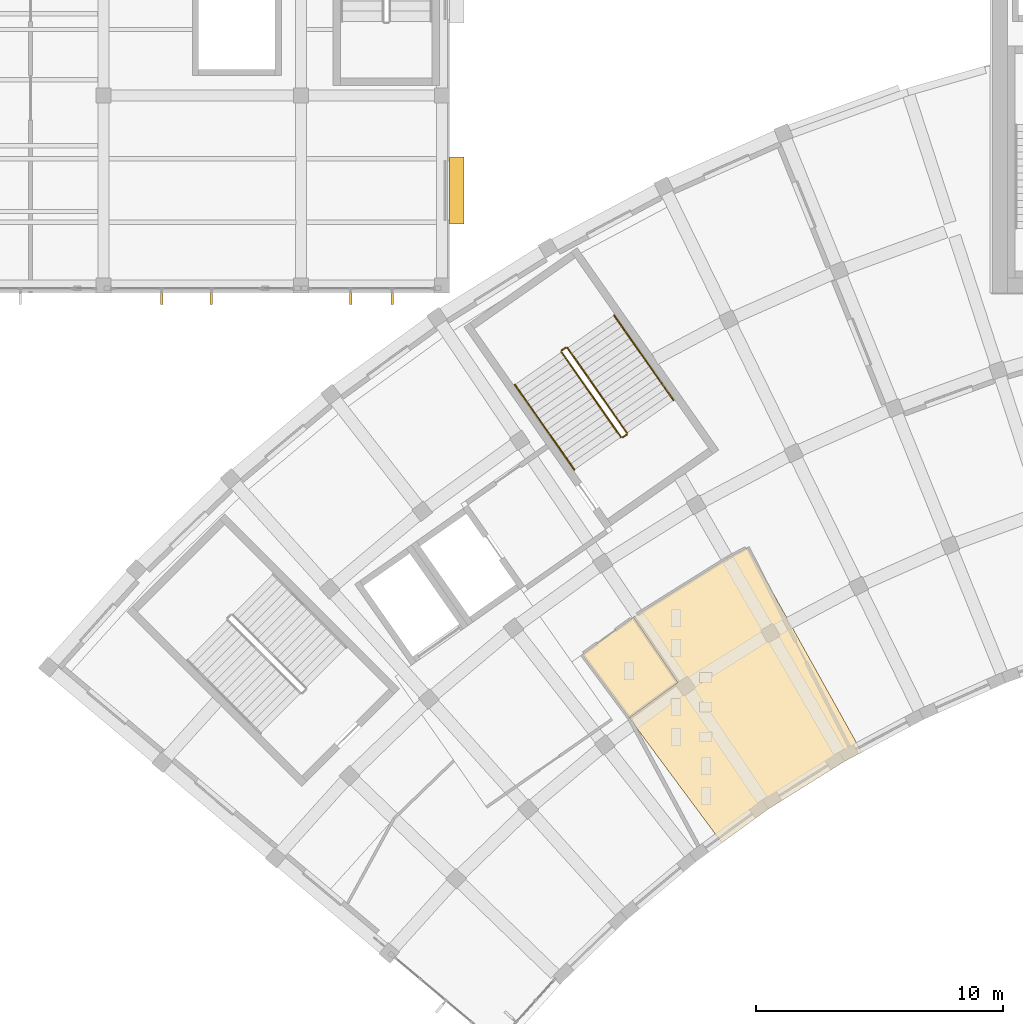
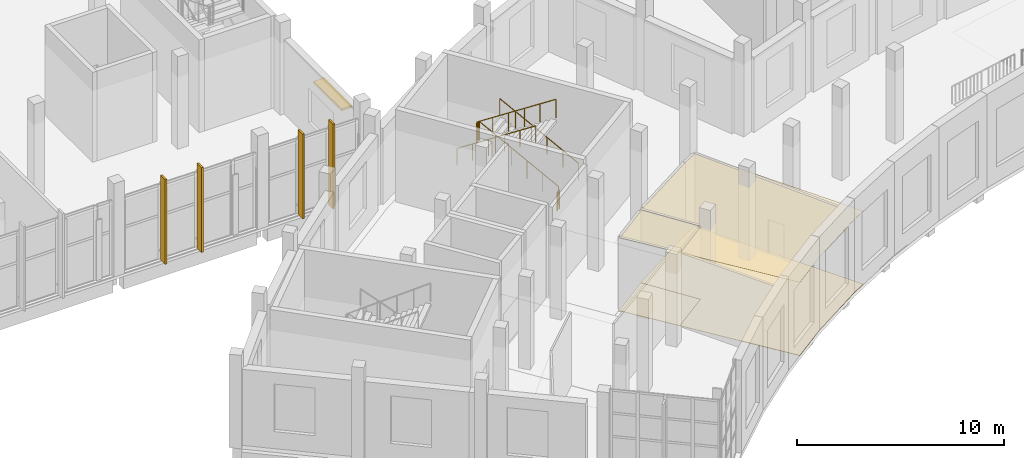
# One storey, part 105 of 132: 6 railings, 5 shading devices, 4 coverings.
"""IFC4 building model written with IfcOpenShell, lengths in metres."""

import ifcopenshell
import ifcopenshell.guid

model = None  # the IFC model being written
_history = None  # IfcOwnerHistory: only IFC2X3 demands one
_inside = {}  # id of a spatial element -> (the spatial element, [elements in it])
_under = {}  # id of a project, library or spatial element -> (it, [spatial elements below it])
_declared = {}  # id of a project -> (the project, [libraries it declares])
_typed = {}  # id of a type object -> (the type object, [elements of that type])
_made_of = {}  # id of a material, layer set ... -> (it, [elements and type objects made of it])


def new_model(schema):
    """Start an empty IFC model of exactly this schema.

    Asked for "IFC4X3", IfcOpenShell would pick the latest addendum, in which some entities
    have other attributes; the version numbers below select the first issue.
    IFC2X3 requires an IfcOwnerHistory on every rooted entity: one is made here for all.
    """
    global model, _history
    if schema == "IFC4X3":
        model = ifcopenshell.file(schema_version=(4, 3, 0, 0))
    else:
        model = ifcopenshell.file(schema=schema)
    _inside.clear()
    _under.clear()
    _declared.clear()
    _typed.clear()
    _made_of.clear()
    _history = None
    if model.schema == "IFC2X3":
        org = make("IfcOrganization", Name="unknown")
        user = make(
            "IfcPersonAndOrganization",
            ThePerson=make("IfcPerson", FamilyName="unknown"),
            TheOrganization=org,
        )
        app = make(
            "IfcApplication",
            ApplicationDeveloper=org,
            Version="unknown",
            ApplicationFullName="unknown",
            ApplicationIdentifier="unknown",
        )
        _history = make(
            "IfcOwnerHistory",
            OwningUser=user,
            OwningApplication=app,
            ChangeAction="ADDED",
            CreationDate=0,
        )
    return model


def make(cls, **values):
    """One entity of the class cls with the attributes given. An attribute that is None is left unset."""
    return model.create_entity(
        cls, **{name: value for name, value in values.items() if value is not None}
    )


def rooted(cls, **values):
    """An entity with a GlobalId (a new one), such as an element, a storey or a relation."""
    return make(cls, GlobalId=ifcopenshell.guid.new(), OwnerHistory=_history, **values)


def si_unit(unit_type, name, prefix=None):
    """IfcSIUnit, for example si_unit("LENGTHUNIT", "METRE", prefix="MILLI")."""
    return make("IfcSIUnit", UnitType=unit_type, Prefix=prefix, Name=name)


def assignment(units):
    """IfcUnitAssignment: the units of a project."""
    return None if units is None else make("IfcUnitAssignment", Units=units)


def point(xyz):
    """IfcCartesianPoint."""
    return None if xyz is None else make("IfcCartesianPoint", Coordinates=xyz)


def direction(xyz):
    """IfcDirection."""
    return None if xyz is None else make("IfcDirection", DirectionRatios=xyz)


def frame(location, z_axis=None, x_axis=None):
    """IfcAxis2Placement3D, a coordinate frame: its origin and axes. An axis left out is left unset."""
    return make(
        "IfcAxis2Placement3D",
        Location=point(location),
        Axis=direction(z_axis),
        RefDirection=direction(x_axis),
    )


def frame_2d(location, x_axis=None):
    """IfcAxis2Placement2D, a coordinate frame in the plane: its origin and x axis."""
    return make(
        "IfcAxis2Placement2D", Location=point(location), RefDirection=direction(x_axis)
    )


def origin():
    """The frame at (0, 0, 0) with its axes left unset."""
    return frame((0.0, 0.0, 0.0))


def origin_2d():
    """The frame at (0, 0) in the plane with its x axis left unset."""
    return frame_2d((0.0, 0.0))


def place(relative_to, where):
    """IfcLocalPlacement: puts the frame where relative to a parent placement (None: the world)."""
    return make(
        "IfcLocalPlacement", PlacementRelTo=relative_to, RelativePlacement=where
    )


def context(
    kind, dimensions, precision=None, world=None, true_north=None, identifier=None
):
    """IfcGeometricRepresentationContext, for example the 3D "Model" context."""
    return make(
        "IfcGeometricRepresentationContext",
        ContextIdentifier=identifier,
        ContextType=kind,
        CoordinateSpaceDimension=dimensions,
        Precision=precision,
        WorldCoordinateSystem=world,
        TrueNorth=true_north,
    )


def subcontext(parent, identifier, kind, view, scale=None):
    """IfcGeometricRepresentationSubContext, for example "Body" below "Model"."""
    return make(
        "IfcGeometricRepresentationSubContext",
        ContextIdentifier=identifier,
        ContextType=kind,
        ParentContext=parent,
        TargetScale=scale,
        TargetView=view,
    )


def project(units=None, contexts=None):
    """IfcProject with its units and contexts."""
    return rooted(
        "IfcProject",
        Name="project",
        RepresentationContexts=contexts,
        UnitsInContext=assignment(units),
    )


def spatial(cls, under=None, at=None, **own):
    """A site, building, storey or space (cls), placed at a placement, below another one or the project."""
    s = rooted(cls, ObjectPlacement=at, **own)
    if under is not None:
        _under.setdefault(under.id(), (under, []))[1].append(s)
    return s


def polyline(points):
    """IfcPolyline through the points."""
    return make("IfcPolyline", Points=[point(p) for p in points])


def profile(cls, at=None, kind="AREA", **sizes):
    """A parametric profile (cls). Its sizes go by their IFC names, for example OverallWidth=200.0."""
    return make(cls, ProfileType=kind, Position=at, **sizes)


def rectangle(**sizes):
    """IfcRectangleProfileDef."""
    return profile("IfcRectangleProfileDef", **sizes)


def circle(**sizes):
    """IfcCircleProfileDef."""
    return profile("IfcCircleProfileDef", **sizes)


def outline(outer, holes=None, kind="AREA"):
    """IfcArbitraryClosedProfileDef: a profile drawn as a closed curve; with holes, ...WithVoids."""
    if holes is None:
        return make("IfcArbitraryClosedProfileDef", ProfileType=kind, OuterCurve=outer)
    return make(
        "IfcArbitraryProfileDefWithVoids",
        ProfileType=kind,
        OuterCurve=outer,
        InnerCurves=holes,
    )


def extrude(swept, where, along, depth):
    """IfcExtrudedAreaSolid: the profile swept, set in the frame where, extruded along a direction by depth."""
    return make(
        "IfcExtrudedAreaSolid",
        SweptArea=swept,
        Position=where,
        ExtrudedDirection=direction(along),
        Depth=depth,
    )


def shape(context_of_items, identifier, shape_type, items):
    """IfcShapeRepresentation: the items that make up one representation, for example the "Body"."""
    return make(
        "IfcShapeRepresentation",
        ContextOfItems=context_of_items,
        RepresentationIdentifier=identifier,
        RepresentationType=shape_type,
        Items=items,
    )


def material(Name=None, Category=None):
    """IfcMaterial."""
    return make("IfcMaterial", Name=Name, Category=Category)


def layer(
    of_material, thickness, ventilated=None, Name=None, Category=None, Priority=None
):
    """IfcMaterialLayer: one layer of a wall or slab, of a material (None: an air gap)."""
    return make(
        "IfcMaterialLayer",
        Material=of_material,
        LayerThickness=thickness,
        IsVentilated=ventilated,
        Name=Name,
        Category=Category,
        Priority=Priority,
    )


def layer_set(layers, Name=None):
    """IfcMaterialLayerSet."""
    return make("IfcMaterialLayerSet", MaterialLayers=layers, LayerSetName=Name)


def made_of(thing, what):
    """Note that an element or type object is made of a material, layer set ...; save() writes the relation."""
    if what is not None:
        _made_of.setdefault(what.id(), (what, []))[1].append(thing)
    return thing


def type_object(cls, material=None, **own):
    """A type object (cls), such as IfcWallType, which elements share."""
    return made_of(rooted(cls, **own), material)


def element(
    cls,
    number,
    at=None,
    inside=None,
    cuts=None,
    type_object=None,
    material=None,
    context=None,
    identifier="Body",
    shape_type=None,
    held_by="IfcProductDefinitionShape",
    body=None,
    shapes=None,
    **own,
):
    """One element of the class cls, such as IfcWall. Its Tag is "e" and its number.

    at: its placement. inside: the storey or other place that contains it. cuts: it is an
    opening in that element (IfcRelVoidsElement). A single representation is given by context,
    identifier, shape_type and body (its items); several are given by shapes. held_by: the class
    of the entity that holds the representations. save() writes the other relations.
    """
    e = rooted(cls, Tag="e%d" % number, ObjectPlacement=at, **own)
    if body is not None:
        shapes = [shape(context, identifier, shape_type, body)]
    if shapes is not None:
        e.Representation = make(held_by, Representations=shapes)
    if inside is not None:
        _inside.setdefault(inside.id(), (inside, []))[1].append(e)
    if cuts is not None:
        rooted(
            "IfcRelVoidsElement", RelatingBuildingElement=cuts, RelatedOpeningElement=e
        )
    if type_object is not None:
        _typed.setdefault(type_object.id(), (type_object, []))[1].append(e)
    return made_of(e, material)


def aggregate(whole, parts):
    """IfcRelAggregates: a whole, such as a stair, and the parts it consists of."""
    return rooted("IfcRelAggregates", RelatingObject=whole, RelatedObjects=parts)


def save(model, path):
    """Write the relations noted so far, then the file.

    IfcRelAggregates (storeys below a building ...), IfcRelContainedInSpatialStructure (elements
    in a storey), IfcRelDefinesByType, IfcRelAssociatesMaterial and IfcRelDeclares: one each for
    every whole, place, type object, material and project.
    """
    for whole, parts in _under.values():
        aggregate(whole, parts)
    for where, things in _inside.values():
        rooted(
            "IfcRelContainedInSpatialStructure",
            RelatedElements=things,
            RelatingStructure=where,
        )
    for kind, things in _typed.values():
        rooted("IfcRelDefinesByType", RelatedObjects=things, RelatingType=kind)
    for what, things in _made_of.values():
        rooted("IfcRelAssociatesMaterial", RelatedObjects=things, RelatingMaterial=what)
    for by, libraries in _declared.values():
        rooted("IfcRelDeclares", RelatingContext=by, RelatedDefinitions=libraries)
    model.write(path)


model = new_model("IFC4")

# Units and contexts
model_context = context("Model", 3, precision=1e-05, world=origin(), true_north=direction((0.0, 1.0)))
body_context = subcontext(model_context, "Body", "Model", "MODEL_VIEW")
ifc_project = project(units=[si_unit("LENGTHUNIT", "METRE"), si_unit("AREAUNIT", "SQUARE_METRE"), si_unit("VOLUMEUNIT", "CUBIC_METRE"), si_unit("PLANEANGLEUNIT", "RADIAN"), si_unit("MASSUNIT", "GRAM", prefix="KILO")], contexts=[model_context])

# Site, building, storey
site_placement = place(None, origin())
site = spatial("IfcSite", under=ifc_project, at=site_placement, CompositionType="ELEMENT")
building_placement = place(site_placement, origin())
building = spatial("IfcBuilding", under=site, at=building_placement, Name="Lunette Opera House", CompositionType="ELEMENT")
storey_placement = place(building_placement, frame((0.0, 0.0, 17.0)))
storey = spatial("IfcBuildingStorey", under=building, at=storey_placement, Name="L03", CompositionType="ELEMENT", Elevation=17.0)

# Shading devices
ifc_material_1 = material(Name="Powder-coated aluminium", Category="aluminium")
shading_device_type_1 = type_object("IfcShadingDeviceType", Name="SOLAR FIN 100 X 450", PredefinedType="USERDEFINED", material=ifc_material_1)
for number, where, z_axis, x_axis, name in (
    (1, (42.35107421875, 63.76806640625, 0.115234375), (0.0, 0.0, 1.0), (0.0, -1.0, 0.0), "Solar fin RW-X2054 1"),
    (2, (44.373046875, 63.76806640625, 0.115234375), (0.0, 0.0, 1.0), (0.0, -1.0, 0.0), "Solar fin RW-X2054 2"),
    (3, (50.010009765625, 63.76806640625, 0.115234375), (0.0, 0.0, 1.0), (0.0, -1.0, 0.0), "Solar fin RW-X2056 1"),
    (4, (51.68994140625, 63.76806640625, 0.115234375), (0.0, 0.0, 1.0), (0.0, -1.0, 0.0), "Solar fin RW-X2056 2"),
):
    element("IfcShadingDevice", number, at=place(storey_placement, frame(where, z_axis=z_axis, x_axis=x_axis)), inside=storey, type_object=shading_device_type_1, Name=name, ObjectType="SOLAR FIN", PredefinedType="USERDEFINED", context=body_context, shape_type="SweptSolid", body=[
        extrude(rectangle(XDim=0.449951171875, YDim=0.10009765625, at=origin_2d()), origin(), (0.0, 0.0, 1.0), 4.985107421875),
    ])

# Railings
ifc_material_2 = material(Name="Steel S355", Category="steel")
railing_type_1 = type_object("IfcRailingType", Name="STAIR GUARD 1100", PredefinedType="GUARDRAIL", material=ifc_material_2)
railing_1_placement = place(storey_placement, frame((61.195068359375, 58.3369140625, 0.171875)))
element("IfcRailing", 5, at=railing_1_placement, inside=storey, type_object=railing_type_1, Name="L03 ST2 stair guard 1", PredefinedType="GUARDRAIL", context=body_context, shape_type="SweptSolid", body=[
    extrude(circle(Radius=0.02392578125, at=origin_2d()), frame((0.0, 0.0, 1.076171875), z_axis=(-0.488760814363, 0.698166040625, 0.523141516285), x_axis=(-0.819207341873, -0.573497455114, 0.0)), (0.0, 0.0, 1.0), 4.92822265625),
    extrude(circle(Radius=0.02099609375, at=origin_2d()), origin(), (0.0, 0.0, 1.0), 1.052001953125),
    extrude(circle(Radius=0.02099609375, at=origin_2d()), frame((-0.481689453125, 0.688232421875, 0.515625)), (0.0, 0.0, 1.0), 1.052001953125),
    extrude(circle(Radius=0.02099609375, at=origin_2d()), frame((-0.96337890625, 1.376220703125, 1.03125)), (0.0, 0.0, 1.0), 1.052001953125),
    extrude(circle(Radius=0.02099609375, at=origin_2d()), frame((-1.4453125, 2.064453125, 1.546875)), (0.0, 0.0, 1.0), 1.052001953125),
    extrude(circle(Radius=0.02099609375, at=origin_2d()), frame((-1.927001953125, 2.75244140625, 2.0625)), (0.0, 0.0, 1.0), 1.052001953125),
    extrude(circle(Radius=0.02099609375, at=origin_2d()), frame((-2.40869140625, 3.440673828125, 2.578125)), (0.0, 0.0, 1.0), 1.052001953125),
])
railing_2_placement = place(storey_placement, frame((58.716552734375, 61.789794921875, 2.75)))
element("IfcRailing", 6, at=railing_2_placement, inside=storey, type_object=railing_type_1, Name="L03 ST2 stair guard 2", PredefinedType="GUARDRAIL", context=body_context, shape_type="SweptSolid", body=[
    extrude(circle(Radius=0.02392578125, at=origin_2d()), frame((0.0, 0.0, 1.076171875), z_axis=(-0.819289108261, -0.573380638917, 0.0), x_axis=(0.573380638917, -0.819289108261, 0.0)), (0.0, 0.0, 1.0), 0.200439453125),
    extrude(circle(Radius=0.02099609375, at=origin_2d()), origin(), (0.0, 0.0, 1.0), 1.052001953125),
    extrude(circle(Radius=0.02099609375, at=origin_2d()), frame((-0.164306640625, -0.114990234375, 0.0)), (0.0, 0.0, 1.0), 1.052001953125),
])
railing_3_placement = place(storey_placement, frame((58.5400390625, 61.605224609375, 2.921875)))
element("IfcRailing", 7, at=railing_3_placement, inside=storey, type_object=railing_type_1, Name="L03 ST2 stair guard 3", PredefinedType="GUARDRAIL", context=body_context, shape_type="SweptSolid", body=[
    extrude(circle(Radius=0.02392578125, at=origin_2d()), frame((0.0, 0.0, 1.076171875), z_axis=(0.488760814363, -0.698166040625, 0.523141516285), x_axis=(0.819207341873, 0.573497455114, 0.0)), (0.0, 0.0, 1.0), 4.92822265625),
    extrude(circle(Radius=0.02099609375, at=origin_2d()), origin(), (0.0, 0.0, 1.0), 1.052001953125),
    extrude(circle(Radius=0.02099609375, at=origin_2d()), frame((0.481689453125, -0.688232421875, 0.515625)), (0.0, 0.0, 1.0), 1.052001953125),
    extrude(circle(Radius=0.02099609375, at=origin_2d()), frame((0.96337890625, -1.376220703125, 1.03125)), (0.0, 0.0, 1.0), 1.052001953125),
    extrude(circle(Radius=0.02099609375, at=origin_2d()), frame((1.4453125, -2.064453125, 1.546875)), (0.0, 0.0, 1.0), 1.052001953125),
    extrude(circle(Radius=0.02099609375, at=origin_2d()), frame((1.927001953125, -2.75244140625, 2.0625)), (0.0, 0.0, 1.0), 1.052001953125),
    extrude(circle(Radius=0.02099609375, at=origin_2d()), frame((2.40869140625, -3.440673828125, 2.578125)), (0.0, 0.0, 1.0), 1.052001953125),
])
railing_4_placement = place(storey_placement, frame((61.1826171875, 58.267333984375, 0.0)))
element("IfcRailing", 8, at=railing_4_placement, inside=storey, type_object=railing_type_1, Name="L03 ST2 stair guard 4", PredefinedType="GUARDRAIL", context=body_context, shape_type="SweptSolid", body=[
    extrude(circle(Radius=0.02392578125, at=origin_2d()), frame((0.0, 0.0, 1.076171875), z_axis=(-0.819289108261, -0.573380638917, 0.0), x_axis=(0.573380638917, -0.819289108261, 0.0)), (0.0, 0.0, 1.0), 0.200439453125),
    extrude(circle(Radius=0.02099609375, at=origin_2d()), origin(), (0.0, 0.0, 1.0), 1.052001953125),
    extrude(circle(Radius=0.02099609375, at=origin_2d()), frame((-0.164306640625, -0.114990234375, 0.0)), (0.0, 0.0, 1.0), 1.052001953125),
])
ifc_material_3 = material(Name="Steel S355", Category="steel")
railing_type_2 = type_object("IfcRailingType", Name="STAIR HANDRAIL 1000", PredefinedType="HANDRAIL", material=ifc_material_3)
railing_5_placement = place(storey_placement, frame((63.0791015625, 59.656005859375, 0.171875)))
element("IfcRailing", 9, at=railing_5_placement, inside=storey, type_object=railing_type_2, Name="L03 ST2 stair handrail 1", PredefinedType="HANDRAIL", context=body_context, shape_type="SweptSolid", body=[
    extrude(circle(Radius=0.02392578125, at=origin_2d()), frame((0.0, 0.0, 0.97607421875), z_axis=(-0.488760814363, 0.698166040625, 0.523141516285), x_axis=(-0.819207341873, -0.573497455114, 0.0)), (0.0, 0.0, 1.0), 4.92822265625),
    extrude(circle(Radius=0.02099609375, at=origin_2d()), origin(), (0.0, 0.0, 1.0), 0.951904296875),
    extrude(circle(Radius=0.02099609375, at=origin_2d()), frame((-0.481689453125, 0.688232421875, 0.515625)), (0.0, 0.0, 1.0), 0.951904296875),
    extrude(circle(Radius=0.02099609375, at=origin_2d()), frame((-0.96337890625, 1.376220703125, 1.03125)), (0.0, 0.0, 1.0), 0.951904296875),
    extrude(circle(Radius=0.02099609375, at=origin_2d()), frame((-1.4453125, 2.064453125, 1.546875)), (0.0, 0.0, 1.0), 0.951904296875),
    extrude(circle(Radius=0.02099609375, at=origin_2d()), frame((-1.927001953125, 2.75244140625, 2.0625)), (0.0, 0.0, 1.0), 0.951904296875),
    extrude(circle(Radius=0.02099609375, at=origin_2d()), frame((-2.40869140625, 3.440673828125, 2.578125)), (0.0, 0.0, 1.0), 0.951904296875),
])
railing_6_placement = place(storey_placement, frame((56.65576171875, 60.2861328125, 2.921875)))
element("IfcRailing", 10, at=railing_6_placement, inside=storey, type_object=railing_type_2, Name="L03 ST2 stair handrail 2", PredefinedType="HANDRAIL", context=body_context, shape_type="SweptSolid", body=[
    extrude(circle(Radius=0.02392578125, at=origin_2d()), frame((0.0, 0.0, 0.97607421875), z_axis=(0.488798518461, -0.69814913557, 0.523128849189), x_axis=(0.819180032231, 0.573536463352, 0.0)), (0.0, 0.0, 1.0), 4.92822265625),
    extrude(circle(Radius=0.02099609375, at=origin_2d()), origin(), (0.0, 0.0, 1.0), 0.951904296875),
    extrude(circle(Radius=0.02099609375, at=origin_2d()), frame((0.481689453125, -0.688232421875, 0.515625)), (0.0, 0.0, 1.0), 0.951904296875),
    extrude(circle(Radius=0.02099609375, at=origin_2d()), frame((0.963623046875, -1.376220703125, 1.03125)), (0.0, 0.0, 1.0), 0.951904296875),
    extrude(circle(Radius=0.02099609375, at=origin_2d()), frame((1.4453125, -2.064453125, 1.546875)), (0.0, 0.0, 1.0), 0.951904296875),
    extrude(circle(Radius=0.02099609375, at=origin_2d()), frame((1.92724609375, -2.75244140625, 2.0625)), (0.0, 0.0, 1.0), 0.951904296875),
    extrude(circle(Radius=0.02099609375, at=origin_2d()), frame((2.408935546875, -3.440673828125, 2.578125)), (0.0, 0.0, 1.0), 0.951904296875),
])

# Coverings
ifc_material_4 = material(Name="Mineral fibre board")
ifc_layer_1 = layer(ifc_material_4, 0.014892578125)
ifc_layer_set_1 = layer_set([ifc_layer_1], Name="Mineral fibre board")
covering_type_1 = type_object("IfcCoveringType", Name="SUSPENDED ACOUSTIC CEILING 15", PredefinedType="CEILING", material=ifc_layer_set_1)
covering_1_placement = place(storey_placement, frame((0.0, 0.0, 4.31494140625)))
element("IfcCovering", 11, at=covering_1_placement, inside=storey, type_object=covering_type_1, Name="Ceiling Accessible WC L03", PredefinedType="CEILING", context=body_context, shape_type="SweptSolid", body=[
    extrude(outline(polyline([(61.35009765625, 50.797119140625), (61.4560546875, 50.8740234375), (63.25390625, 48.22705078125), (61.283935546875, 46.7958984375), (59.3779296875, 49.364990234375), (61.35009765625, 50.797119140625)])), origin(), (0.0, 0.0, 1.0), 0.01513671875),
])
covering_2_placement = place(storey_placement, frame((0.0, 0.0, 4.31494140625)))
element("IfcCovering", 12, at=covering_2_placement, inside=storey, type_object=covering_type_1, Name="Ceiling Public WC L03", PredefinedType="CEILING", context=body_context, shape_type="SweptSolid", body=[
    extrude(outline(polyline([(66.922119140625, 43.110107421875), (65.034912109375, 41.739013671875), (61.283935546875, 46.7958984375), (63.25390625, 48.22705078125), (61.4560546875, 50.8740234375), (61.610107421875, 50.986083984375), (65.25, 53.260986328125), (66.0791015625, 53.701904296875), (70.700927734375, 45.406005859375), (70.0, 45.032958984375), (67.159912109375, 43.259033203125), (66.922119140625, 43.110107421875)])), origin(), (0.0, 0.0, 1.0), 0.01513671875),
])
ifc_material_5 = material(Name="Ceramic tile")
ifc_layer_2 = layer(ifc_material_5, 0.02490234375)
ifc_layer_set_2 = layer_set([ifc_layer_2], Name="Ceramic tile")
covering_type_2 = type_object("IfcCoveringType", Name="TILED FLOOR FINISH 25", PredefinedType="FLOORING", material=ifc_layer_set_2)
covering_3_placement = place(storey_placement, origin())
element("IfcCovering", 13, at=covering_3_placement, inside=storey, type_object=covering_type_2, Name="Floor finish Accessible WC L03", PredefinedType="FLOORING", context=body_context, shape_type="SweptSolid", body=[
    extrude(outline(polyline([(61.35009765625, 50.797119140625), (61.4560546875, 50.8740234375), (63.25390625, 48.22705078125), (61.283935546875, 46.7958984375), (59.3779296875, 49.364990234375), (61.35009765625, 50.797119140625)])), origin(), (0.0, 0.0, 1.0), 0.02490234375),
])
covering_4_placement = place(storey_placement, origin())
element("IfcCovering", 14, at=covering_4_placement, inside=storey, type_object=covering_type_2, Name="Floor finish Public WC L03", PredefinedType="FLOORING", context=body_context, shape_type="SweptSolid", body=[
    extrude(outline(polyline([(66.922119140625, 43.110107421875), (65.034912109375, 41.739013671875), (61.283935546875, 46.7958984375), (63.25390625, 48.22705078125), (61.4560546875, 50.8740234375), (61.610107421875, 50.986083984375), (65.25, 53.260986328125), (66.0791015625, 53.701904296875), (70.700927734375, 45.406005859375), (70.0, 45.032958984375), (67.159912109375, 43.259033203125), (66.922119140625, 43.110107421875)])), origin(), (0.0, 0.0, 1.0), 0.02490234375),
])

# Shading device
ifc_material_6 = material(Name="Powder-coated aluminium", Category="aluminium")
ifc_layer_3 = layer(ifc_material_6, 0.1201171875)
ifc_layer_set_3 = layer_set([ifc_layer_3], Name="Powder-coated aluminium")
shading_device_type_2 = type_object("IfcShadingDeviceType", Name="WINDOW HOOD 600 X 2700", PredefinedType="USERDEFINED", material=ifc_layer_set_3)
shading_device_placement = place(storey_placement, frame((54.300048828125, 68.14990234375, 3.079833984375), z_axis=(0.0, 0.0, 1.0), x_axis=(1.0, 0.0, 0.0)))
element("IfcShadingDevice", 15, at=shading_device_placement, inside=storey, type_object=shading_device_type_2, Name="Window hood RW-N2037", ObjectType="WINDOW HOOD", PredefinedType="USERDEFINED", context=body_context, shape_type="SweptSolid", body=[
    extrude(rectangle(XDim=0.60009765625, YDim=2.699951171875, at=origin_2d()), origin(), (0.0, 0.0, 1.0), 0.1201171875),
])

save(model, "model.ifc")
